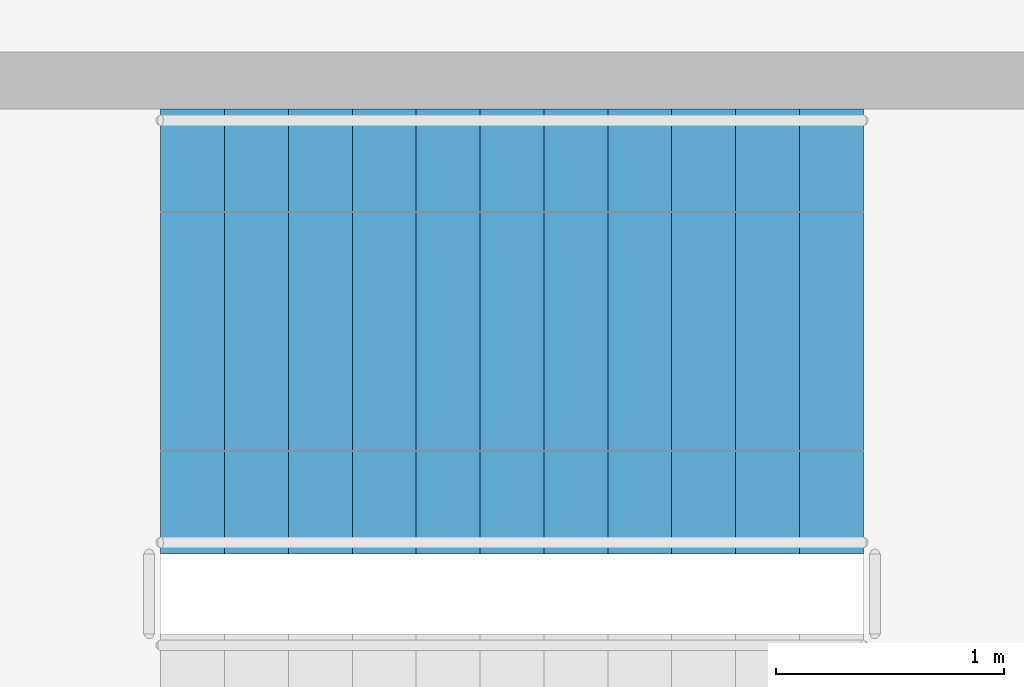
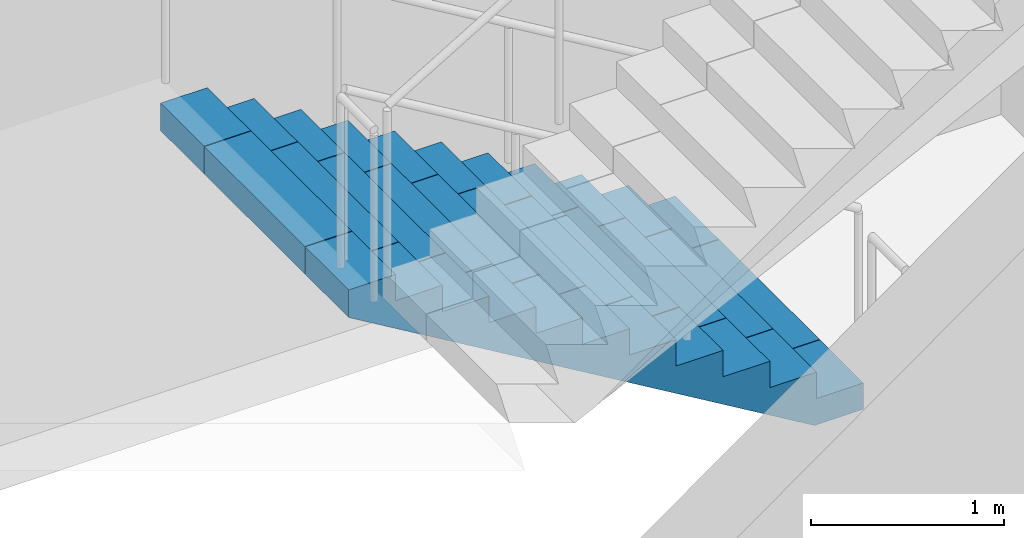
# One storey, part 13 of 15: 1 stair flight, 1 element without a shape of its own.
"""IFC4 building model written with IfcOpenShell, lengths in metres."""

import ifcopenshell
import ifcopenshell.guid

model = None  # the IFC model being written
_history = None  # IfcOwnerHistory: only IFC2X3 demands one
_inside = {}  # id of a spatial element -> (the spatial element, [elements in it])
_under = {}  # id of a project, library or spatial element -> (it, [spatial elements below it])
_declared = {}  # id of a project -> (the project, [libraries it declares])
_typed = {}  # id of a type object -> (the type object, [elements of that type])
_made_of = {}  # id of a material, layer set ... -> (it, [elements and type objects made of it])


def new_model(schema):
    """Start an empty IFC model of exactly this schema.

    Asked for "IFC4X3", IfcOpenShell would pick the latest addendum, in which some entities
    have other attributes; the version numbers below select the first issue.
    IFC2X3 requires an IfcOwnerHistory on every rooted entity: one is made here for all.
    """
    global model, _history
    if schema == "IFC4X3":
        model = ifcopenshell.file(schema_version=(4, 3, 0, 0))
    else:
        model = ifcopenshell.file(schema=schema)
    _inside.clear()
    _under.clear()
    _declared.clear()
    _typed.clear()
    _made_of.clear()
    _history = None
    if model.schema == "IFC2X3":
        org = make("IfcOrganization", Name="unknown")
        user = make(
            "IfcPersonAndOrganization",
            ThePerson=make("IfcPerson", FamilyName="unknown"),
            TheOrganization=org,
        )
        app = make(
            "IfcApplication",
            ApplicationDeveloper=org,
            Version="unknown",
            ApplicationFullName="unknown",
            ApplicationIdentifier="unknown",
        )
        _history = make(
            "IfcOwnerHistory",
            OwningUser=user,
            OwningApplication=app,
            ChangeAction="ADDED",
            CreationDate=0,
        )
    return model


def make(cls, **values):
    """One entity of the class cls with the attributes given. An attribute that is None is left unset."""
    return model.create_entity(
        cls, **{name: value for name, value in values.items() if value is not None}
    )


def rooted(cls, **values):
    """An entity with a GlobalId (a new one), such as an element, a storey or a relation."""
    return make(cls, GlobalId=ifcopenshell.guid.new(), OwnerHistory=_history, **values)


def si_unit(unit_type, name, prefix=None):
    """IfcSIUnit, for example si_unit("LENGTHUNIT", "METRE", prefix="MILLI")."""
    return make("IfcSIUnit", UnitType=unit_type, Prefix=prefix, Name=name)


def assignment(units):
    """IfcUnitAssignment: the units of a project."""
    return None if units is None else make("IfcUnitAssignment", Units=units)


def point(xyz):
    """IfcCartesianPoint."""
    return None if xyz is None else make("IfcCartesianPoint", Coordinates=xyz)


def direction(xyz):
    """IfcDirection."""
    return None if xyz is None else make("IfcDirection", DirectionRatios=xyz)


def frame(location, z_axis=None, x_axis=None):
    """IfcAxis2Placement3D, a coordinate frame: its origin and axes. An axis left out is left unset."""
    return make(
        "IfcAxis2Placement3D",
        Location=point(location),
        Axis=direction(z_axis),
        RefDirection=direction(x_axis),
    )


def origin():
    """The frame at (0, 0, 0) with its axes left unset."""
    return frame((0.0, 0.0, 0.0))


def place(relative_to, where):
    """IfcLocalPlacement: puts the frame where relative to a parent placement (None: the world)."""
    return make(
        "IfcLocalPlacement", PlacementRelTo=relative_to, RelativePlacement=where
    )


def context(
    kind, dimensions, precision=None, world=None, true_north=None, identifier=None
):
    """IfcGeometricRepresentationContext, for example the 3D "Model" context."""
    return make(
        "IfcGeometricRepresentationContext",
        ContextIdentifier=identifier,
        ContextType=kind,
        CoordinateSpaceDimension=dimensions,
        Precision=precision,
        WorldCoordinateSystem=world,
        TrueNorth=true_north,
    )


def subcontext(parent, identifier, kind, view, scale=None):
    """IfcGeometricRepresentationSubContext, for example "Body" below "Model"."""
    return make(
        "IfcGeometricRepresentationSubContext",
        ContextIdentifier=identifier,
        ContextType=kind,
        ParentContext=parent,
        TargetScale=scale,
        TargetView=view,
    )


def project(units=None, contexts=None):
    """IfcProject with its units and contexts."""
    return rooted(
        "IfcProject",
        Name="project",
        RepresentationContexts=contexts,
        UnitsInContext=assignment(units),
    )


def spatial(cls, under=None, at=None, **own):
    """A site, building, storey or space (cls), placed at a placement, below another one or the project."""
    s = rooted(cls, ObjectPlacement=at, **own)
    if under is not None:
        _under.setdefault(under.id(), (under, []))[1].append(s)
    return s


def polyline(points):
    """IfcPolyline through the points."""
    return make("IfcPolyline", Points=[point(p) for p in points])


def outline(outer, holes=None, kind="AREA"):
    """IfcArbitraryClosedProfileDef: a profile drawn as a closed curve; with holes, ...WithVoids."""
    if holes is None:
        return make("IfcArbitraryClosedProfileDef", ProfileType=kind, OuterCurve=outer)
    return make(
        "IfcArbitraryProfileDefWithVoids",
        ProfileType=kind,
        OuterCurve=outer,
        InnerCurves=holes,
    )


def extrude(swept, where, along, depth):
    """IfcExtrudedAreaSolid: the profile swept, set in the frame where, extruded along a direction by depth."""
    return make(
        "IfcExtrudedAreaSolid",
        SweptArea=swept,
        Position=where,
        ExtrudedDirection=direction(along),
        Depth=depth,
    )


def shape(context_of_items, identifier, shape_type, items):
    """IfcShapeRepresentation: the items that make up one representation, for example the "Body"."""
    return make(
        "IfcShapeRepresentation",
        ContextOfItems=context_of_items,
        RepresentationIdentifier=identifier,
        RepresentationType=shape_type,
        Items=items,
    )


def material(Name=None, Category=None):
    """IfcMaterial."""
    return make("IfcMaterial", Name=Name, Category=Category)


def made_of(thing, what):
    """Note that an element or type object is made of a material, layer set ...; save() writes the relation."""
    if what is not None:
        _made_of.setdefault(what.id(), (what, []))[1].append(thing)
    return thing


def type_object(cls, material=None, **own):
    """A type object (cls), such as IfcWallType, which elements share."""
    return made_of(rooted(cls, **own), material)


def element(
    cls,
    number,
    at=None,
    inside=None,
    cuts=None,
    type_object=None,
    material=None,
    context=None,
    identifier="Body",
    shape_type=None,
    held_by="IfcProductDefinitionShape",
    body=None,
    shapes=None,
    **own,
):
    """One element of the class cls, such as IfcWall. Its Tag is "e" and its number.

    at: its placement. inside: the storey or other place that contains it. cuts: it is an
    opening in that element (IfcRelVoidsElement). A single representation is given by context,
    identifier, shape_type and body (its items); several are given by shapes. held_by: the class
    of the entity that holds the representations. save() writes the other relations.
    """
    e = rooted(cls, Tag="e%d" % number, ObjectPlacement=at, **own)
    if body is not None:
        shapes = [shape(context, identifier, shape_type, body)]
    if shapes is not None:
        e.Representation = make(held_by, Representations=shapes)
    if inside is not None:
        _inside.setdefault(inside.id(), (inside, []))[1].append(e)
    if cuts is not None:
        rooted(
            "IfcRelVoidsElement", RelatingBuildingElement=cuts, RelatedOpeningElement=e
        )
    if type_object is not None:
        _typed.setdefault(type_object.id(), (type_object, []))[1].append(e)
    return made_of(e, material)


def aggregate(whole, parts):
    """IfcRelAggregates: a whole, such as a stair, and the parts it consists of."""
    return rooted("IfcRelAggregates", RelatingObject=whole, RelatedObjects=parts)


def save(model, path):
    """Write the relations noted so far, then the file.

    IfcRelAggregates (storeys below a building ...), IfcRelContainedInSpatialStructure (elements
    in a storey), IfcRelDefinesByType, IfcRelAssociatesMaterial and IfcRelDeclares: one each for
    every whole, place, type object, material and project.
    """
    for whole, parts in _under.values():
        aggregate(whole, parts)
    for where, things in _inside.values():
        rooted(
            "IfcRelContainedInSpatialStructure",
            RelatedElements=things,
            RelatingStructure=where,
        )
    for kind, things in _typed.values():
        rooted("IfcRelDefinesByType", RelatedObjects=things, RelatingType=kind)
    for what, things in _made_of.values():
        rooted("IfcRelAssociatesMaterial", RelatedObjects=things, RelatingMaterial=what)
    for by, libraries in _declared.values():
        rooted("IfcRelDeclares", RelatingContext=by, RelatedDefinitions=libraries)
    model.write(path)


model = new_model("IFC4")

# Units and contexts
model_context = context("Model", 3, precision=1e-05, world=origin(), true_north=direction((0.0, 1.0)))
body_context = subcontext(model_context, "Body", "Model", "MODEL_VIEW")
ifc_project = project(units=[si_unit("LENGTHUNIT", "METRE"), si_unit("AREAUNIT", "SQUARE_METRE"), si_unit("VOLUMEUNIT", "CUBIC_METRE"), si_unit("PLANEANGLEUNIT", "RADIAN"), si_unit("MASSUNIT", "GRAM", prefix="KILO")], contexts=[model_context])

# Site, building, storey
site_placement = place(None, origin())
site = spatial("IfcSite", under=ifc_project, at=site_placement, CompositionType="ELEMENT")
building_placement = place(site_placement, origin())
building = spatial("IfcBuilding", under=site, at=building_placement, Name="Corbelhall Arena Tower", CompositionType="ELEMENT")
storey_placement = place(building_placement, frame((0.0, 0.0, 224.0)))
storey = spatial("IfcBuildingStorey", under=building, at=storey_placement, Name="L47", CompositionType="ELEMENT", Elevation=224.0)

# Stair, stair flight
ifc_material = material(Name="Concrete C40/50", Category="concrete")
stair_type = type_object("IfcStairType", Name="IN-ST-TOWER", PredefinedType="HALF_TURN_STAIR", material=ifc_material)
stair_placement = place(storey_placement, origin())
stair = element("IfcStair", 1, at=stair_placement, inside=storey, type_object=stair_type, Name="L47 Exit stair ST3", PredefinedType="HALF_TURN_STAIR")
stair_flight_type = type_object("IfcStairFlightType", Name="IN-SFL-RC", PredefinedType="STRAIGHT", material=ifc_material)
stair_flight_placement = place(storey_placement, frame((11.425048828125, 15.699951171875, 0.0), z_axis=(0.0, 0.0, 1.0), x_axis=(-1.0, 0.0, 0.0)))
stair_flight = element("IfcStairFlight", 2, at=stair_flight_placement, type_object=stair_flight_type, Name="ST3 flight 1", NumberOfRisers=12, NumberOfTreads=11, PredefinedType="STRAIGHT", RiserHeight=0.166666667, TreadLength=0.28, context=body_context, shape_type="SweptSolid", body=[
    extrude(outline(polyline([(0.0, 0.0), (0.0, 0.166748046875), (0.280029296875, 0.166748046875), (0.280029296875, 0.333251953125), (0.56005859375, 0.333251953125), (0.56005859375, 0.5), (0.840087890625, 0.5), (0.840087890625, 0.666748046875), (1.1201171875, 0.666748046875), (1.1201171875, 0.833251953125), (1.39990234375, 0.833251953125), (1.39990234375, 1.0), (1.679931640625, 1.0), (1.679931640625, 1.166748046875), (1.9599609375, 1.166748046875), (1.9599609375, 1.333251953125), (2.239990234375, 1.333251953125), (2.239990234375, 1.5), (2.52001953125, 1.5), (2.52001953125, 1.666748046875), (2.800048828125, 1.666748046875), (2.800048828125, 1.833251953125), (3.080078125, 1.833251953125), (3.080078125, 2.0), (3.080078125, 1.658935546875), (0.29296875, 0.0), (0.0, 0.0)])), frame((0.0, 0.97509765625, 0.0), z_axis=(0.0, -1.0, 0.0), x_axis=(1.0, 0.0, 0.0)), (0.0, 0.0, 1.0), 0.449951171875),
    extrude(outline(polyline([(0.0, 0.0), (0.0, 0.166748046875), (0.280029296875, 0.166748046875), (0.280029296875, 0.333251953125), (0.56005859375, 0.333251953125), (0.56005859375, 0.5), (0.840087890625, 0.5), (0.840087890625, 0.666748046875), (1.1201171875, 0.666748046875), (1.1201171875, 0.833251953125), (1.39990234375, 0.833251953125), (1.39990234375, 1.0), (1.679931640625, 1.0), (1.679931640625, 1.166748046875), (1.9599609375, 1.166748046875), (1.9599609375, 1.333251953125), (2.239990234375, 1.333251953125), (2.239990234375, 1.5), (2.52001953125, 1.5), (2.52001953125, 1.666748046875), (2.800048828125, 1.666748046875), (2.800048828125, 1.833251953125), (3.080078125, 1.833251953125), (3.080078125, 2.0), (3.080078125, 1.658935546875), (0.29296875, 0.0), (0.0, 0.0)])), frame((0.0, 0.52099609375, 0.0), z_axis=(0.0, -1.0, 0.0), x_axis=(1.0, 0.0, 0.0)), (0.0, 0.0, 1.0), 1.0419921875),
    extrude(outline(polyline([(0.0, 0.0), (0.0, 0.166748046875), (0.280029296875, 0.166748046875), (0.280029296875, 0.333251953125), (0.56005859375, 0.333251953125), (0.56005859375, 0.5), (0.840087890625, 0.5), (0.840087890625, 0.666748046875), (1.1201171875, 0.666748046875), (1.1201171875, 0.833251953125), (1.39990234375, 0.833251953125), (1.39990234375, 1.0), (1.679931640625, 1.0), (1.679931640625, 1.166748046875), (1.9599609375, 1.166748046875), (1.9599609375, 1.333251953125), (2.239990234375, 1.333251953125), (2.239990234375, 1.5), (2.52001953125, 1.5), (2.52001953125, 1.666748046875), (2.800048828125, 1.666748046875), (2.800048828125, 1.833251953125), (3.080078125, 1.833251953125), (3.080078125, 2.0), (3.080078125, 1.658935546875), (0.29296875, 0.0), (0.0, 0.0)])), frame((0.0, -0.52490234375, 0.0), z_axis=(0.0, -1.0, 0.0), x_axis=(1.0, 0.0, 0.0)), (0.0, 0.0, 1.0), 0.449951171875),
])
aggregate(stair, [stair_flight])

save(model, "model.ifc")
